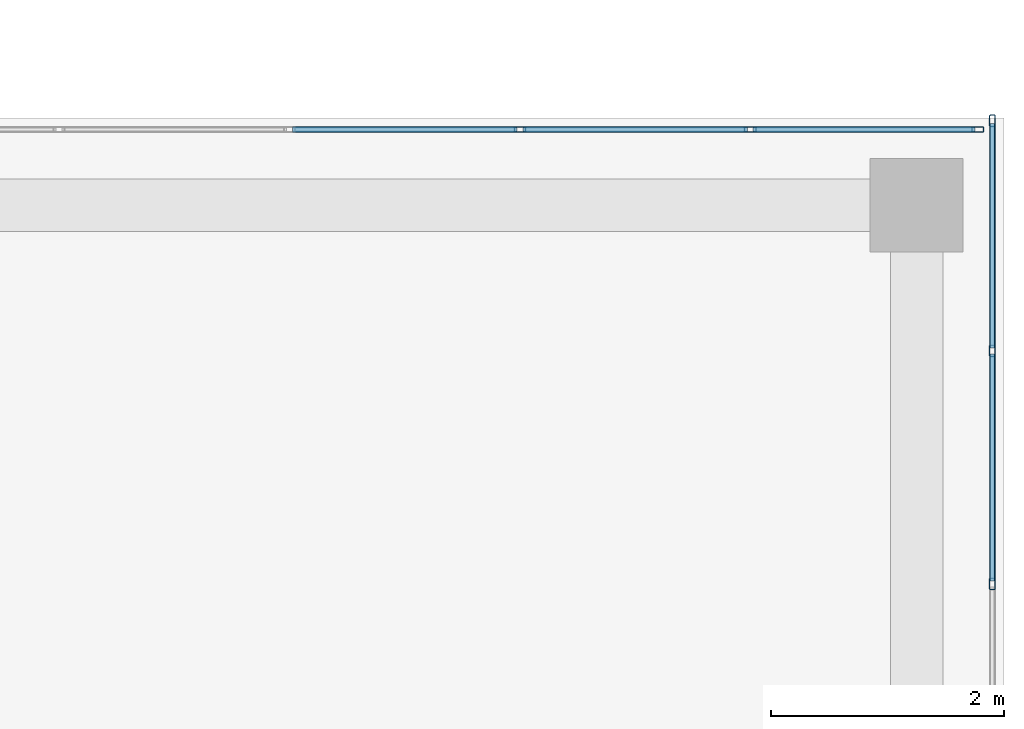
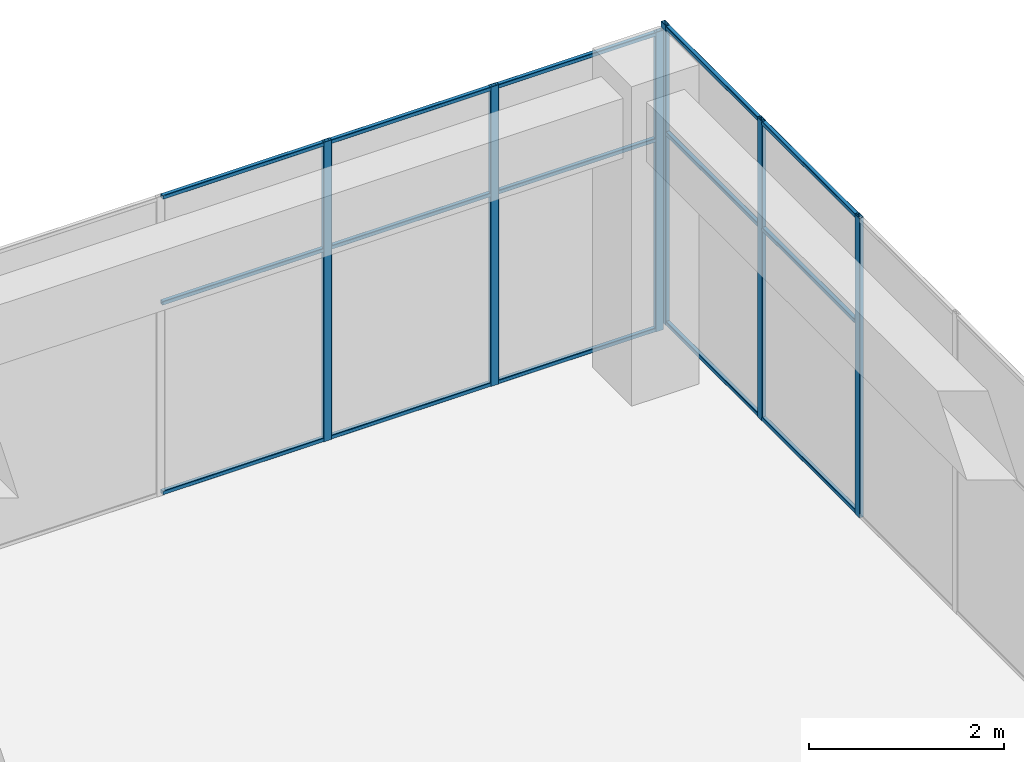
# One storey, part 45 of 66: 21 members, 2 elements without a shape of their own.
"""IFC4 building model written with IfcOpenShell, lengths in metres."""

from ifc_helpers import new_model, si_unit, direction, frame, origin, origin_2d, place, context, subcontext, project, spatial, hollow_rectangle, extrude, material, layer, layer_set, material_profile, profile_set, type_object, element, aggregate, save


model = new_model("IFC4")

# Units and contexts
model_context = context("Model", 3, precision=1e-05, world=origin(), true_north=direction((0.0, 1.0)))
body_context = subcontext(model_context, "Body", "Model", "MODEL_VIEW")
ifc_project = project(units=[si_unit("LENGTHUNIT", "METRE"), si_unit("AREAUNIT", "SQUARE_METRE"), si_unit("VOLUMEUNIT", "CUBIC_METRE"), si_unit("PLANEANGLEUNIT", "RADIAN"), si_unit("MASSUNIT", "GRAM", prefix="KILO")], contexts=[model_context])

# Site, building, storey
site_placement = place(None, origin())
site = spatial("IfcSite", under=ifc_project, at=site_placement, CompositionType="ELEMENT")
building_placement = place(site_placement, origin())
building = spatial("IfcBuilding", under=site, at=building_placement, Name="Tuart Plaza Theatre", CompositionType="ELEMENT")
storey_placement = place(building_placement, frame((0.0, 0.0, 5.5)))
storey = spatial("IfcBuildingStorey", under=building, at=storey_placement, Name="L01", CompositionType="ELEMENT", Elevation=5.5)

# Curtain wall, members
ifc_material_1 = material(Name="Aluminium and glass", Category="aluminium")
ifc_layer = layer(ifc_material_1, 0.10009765625)
ifc_layer_set = layer_set([ifc_layer], Name="CURTAIN WALL 2000 module")
curtain_wall_type = type_object("IfcCurtainWallType", Name="CURTAIN WALL 2000 module", PredefinedType="NOTDEFINED", material=ifc_layer_set)
curtain_wall_1_placement = place(storey_placement, origin())
curtain_wall_1 = element("IfcCurtainWall", 1, at=curtain_wall_1_placement, inside=storey, type_object=curtain_wall_type, Name="CW69", PredefinedType="NOTDEFINED")
ifc_material_2 = material(Name="Aluminium 6063-T5", Category="aluminium")
ifc_material_profile_1 = material_profile(ifc_material_2, hollow_rectangle(XDim=0.050048828125, YDim=0.10009765625, WallThickness=0.00390625, InnerFilletRadius=0.00390625, OuterFilletRadius=0.008056640625, at=origin_2d()), Name="RHS 100x50x4")
ifc_profile_set_1 = profile_set([ifc_material_profile_1], Name="Aluminium 6063-T5")
member_type_1 = type_object("IfcMemberType", Name="MULLION RHS 100x50x4", PredefinedType="MULLION", material=ifc_profile_set_1)
member_1_placement = place(storey_placement, frame((150.64990234375, 88.75, 0.0), z_axis=(0.0, 0.0, 1.0), x_axis=(-1.0, 0.0, 0.0)))
member_1 = element("IfcMember", 2, at=member_1_placement, type_object=member_type_1, Name="CW69 mullion 20", PredefinedType="MULLION", context=body_context, shape_type="SweptSolid", body=[
    extrude(hollow_rectangle(XDim=0.050048828125, YDim=0.10009765625, WallThickness=0.00390625, InnerFilletRadius=0.00390625, OuterFilletRadius=0.008056640625, at=origin_2d()), origin(), (0.0, 0.0, 1.0), 3.75),
])
member_2_placement = place(storey_placement, frame((150.64990234375, 90.75, 0.0), z_axis=(0.0, 0.0, 1.0), x_axis=(-1.0, 0.0, 0.0)))
member_2 = element("IfcMember", 3, at=member_2_placement, type_object=member_type_1, Name="CW69 mullion 21", PredefinedType="MULLION", context=body_context, shape_type="SweptSolid", body=[
    extrude(hollow_rectangle(XDim=0.050048828125, YDim=0.10009765625, WallThickness=0.00390625, InnerFilletRadius=0.00390625, OuterFilletRadius=0.008056640625, at=origin_2d()), origin(), (0.0, 0.0, 1.0), 3.75),
])
member_3_placement = place(storey_placement, frame((150.64990234375, 92.72509765625, 0.0), z_axis=(0.0, 0.0, 1.0), x_axis=(-1.0, 0.0, 0.0)))
member_3 = element("IfcMember", 4, at=member_3_placement, type_object=member_type_1, Name="CW69 mullion 22", PredefinedType="MULLION", context=body_context, shape_type="SweptSolid", body=[
    extrude(hollow_rectangle(XDim=0.050048828125, YDim=0.10009765625, WallThickness=0.00390625, InnerFilletRadius=0.00390625, OuterFilletRadius=0.008056640625, at=origin_2d()), origin(), (0.0, 0.0, 1.0), 3.75),
])

curtain_wall_2_placement = place(storey_placement, origin())
curtain_wall_2 = element("IfcCurtainWall", 5, at=curtain_wall_2_placement, inside=storey, type_object=curtain_wall_type, Name="CW70", PredefinedType="NOTDEFINED")
member_4_placement = place(storey_placement, frame((150.52490234375, 92.64990234375, 0.0), z_axis=(0.0, 0.0, 1.0), x_axis=(0.0, -1.0, 0.0)))
member_4 = element("IfcMember", 6, at=member_4_placement, type_object=member_type_1, Name="CW70 mullion 1", PredefinedType="MULLION", context=body_context, shape_type="SweptSolid", body=[
    extrude(hollow_rectangle(XDim=0.050048828125, YDim=0.10009765625, WallThickness=0.00390625, InnerFilletRadius=0.00390625, OuterFilletRadius=0.008056640625, at=origin_2d()), origin(), (0.0, 0.0, 1.0), 3.75),
])
member_5_placement = place(storey_placement, frame((148.572265625, 92.64990234375, 0.0), z_axis=(0.0, 0.0, 1.0), x_axis=(0.0, -1.0, 0.0)))
member_5 = element("IfcMember", 7, at=member_5_placement, type_object=member_type_1, Name="CW70 mullion 2", PredefinedType="MULLION", context=body_context, shape_type="SweptSolid", body=[
    extrude(hollow_rectangle(XDim=0.050048828125, YDim=0.10009765625, WallThickness=0.00390625, InnerFilletRadius=0.00390625, OuterFilletRadius=0.008056640625, at=origin_2d()), origin(), (0.0, 0.0, 1.0), 3.75),
])
member_6_placement = place(storey_placement, frame((146.594482421875, 92.64990234375, 0.0), z_axis=(0.0, 0.0, 1.0), x_axis=(0.0, -1.0, 0.0)))
member_6 = element("IfcMember", 8, at=member_6_placement, type_object=member_type_1, Name="CW70 mullion 3", PredefinedType="MULLION", context=body_context, shape_type="SweptSolid", body=[
    extrude(hollow_rectangle(XDim=0.050048828125, YDim=0.10009765625, WallThickness=0.00390625, InnerFilletRadius=0.00390625, OuterFilletRadius=0.008056640625, at=origin_2d()), origin(), (0.0, 0.0, 1.0), 3.75),
])

# Member
ifc_material_3 = material(Name="Aluminium 6063-T5", Category="aluminium")
ifc_material_profile_2 = material_profile(ifc_material_3, hollow_rectangle(XDim=0.050048828125, YDim=0.050048828125, WallThickness=0.00390625, InnerFilletRadius=0.00390625, OuterFilletRadius=0.008056640625, at=origin_2d()), Name="RHS 50x50x4")
ifc_profile_set_2 = profile_set([ifc_material_profile_2], Name="Aluminium 6063-T5")
member_type_2 = type_object("IfcMemberType", Name="TRANSOM RHS 50x50x4", PredefinedType="USERDEFINED", material=ifc_profile_set_2)
member_7_placement = place(storey_placement, frame((150.64990234375, 88.77490234375, 0.02490234375), z_axis=(0.0, 1.0, 0.0), x_axis=(-1.0, 0.0, 0.0)))
member_7 = element("IfcMember", 9, at=member_7_placement, type_object=member_type_2, Name="CW69 transom 20.1", ObjectType="TRANSOM", PredefinedType="USERDEFINED", context=body_context, shape_type="SweptSolid", body=[
    extrude(hollow_rectangle(XDim=0.050048828125, YDim=0.050048828125, WallThickness=0.00390625, InnerFilletRadius=0.00390625, OuterFilletRadius=0.008056640625, at=origin_2d()), origin(), (0.0, 0.0, 1.0), 1.9501953125),
])

member_8_placement = place(storey_placement, frame((150.64990234375, 88.77490234375, 2.39990234375), z_axis=(0.0, 1.0, 0.0), x_axis=(-1.0, 0.0, 0.0)))
member_8 = element("IfcMember", 10, at=member_8_placement, type_object=member_type_2, Name="CW69 transom 20.2", ObjectType="TRANSOM", PredefinedType="USERDEFINED", context=body_context, shape_type="SweptSolid", body=[
    extrude(hollow_rectangle(XDim=0.050048828125, YDim=0.050048828125, WallThickness=0.00390625, InnerFilletRadius=0.00390625, OuterFilletRadius=0.008056640625, at=origin_2d()), origin(), (0.0, 0.0, 1.0), 1.9501953125),
])

member_9_placement = place(storey_placement, frame((150.64990234375, 88.77490234375, 3.72509765625), z_axis=(0.0, 1.0, 0.0), x_axis=(-1.0, 0.0, 0.0)))
member_9 = element("IfcMember", 11, at=member_9_placement, type_object=member_type_2, Name="CW69 transom 20.3", ObjectType="TRANSOM", PredefinedType="USERDEFINED", context=body_context, shape_type="SweptSolid", body=[
    extrude(hollow_rectangle(XDim=0.050048828125, YDim=0.050048828125, WallThickness=0.00390625, InnerFilletRadius=0.00390625, OuterFilletRadius=0.008056640625, at=origin_2d()), origin(), (0.0, 0.0, 1.0), 1.9501953125),
])

member_10_placement = place(storey_placement, frame((150.64990234375, 90.77490234375, 0.02490234375), z_axis=(0.0, 1.0, 0.0), x_axis=(-1.0, 0.0, 0.0)))
member_10 = element("IfcMember", 12, at=member_10_placement, type_object=member_type_2, Name="CW69 transom 21.1", ObjectType="TRANSOM", PredefinedType="USERDEFINED", context=body_context, shape_type="SweptSolid", body=[
    extrude(hollow_rectangle(XDim=0.050048828125, YDim=0.050048828125, WallThickness=0.00390625, InnerFilletRadius=0.00390625, OuterFilletRadius=0.008056640625, at=origin_2d()), origin(), (0.0, 0.0, 1.0), 1.925048828125),
])

member_11_placement = place(storey_placement, frame((150.64990234375, 90.77490234375, 2.39990234375), z_axis=(0.0, 1.0, 0.0), x_axis=(-1.0, 0.0, 0.0)))
member_11 = element("IfcMember", 13, at=member_11_placement, type_object=member_type_2, Name="CW69 transom 21.2", ObjectType="TRANSOM", PredefinedType="USERDEFINED", context=body_context, shape_type="SweptSolid", body=[
    extrude(hollow_rectangle(XDim=0.050048828125, YDim=0.050048828125, WallThickness=0.00390625, InnerFilletRadius=0.00390625, OuterFilletRadius=0.008056640625, at=origin_2d()), origin(), (0.0, 0.0, 1.0), 1.925048828125),
])

member_12_placement = place(storey_placement, frame((150.64990234375, 90.77490234375, 3.72509765625), z_axis=(0.0, 1.0, 0.0), x_axis=(-1.0, 0.0, 0.0)))
member_12 = element("IfcMember", 14, at=member_12_placement, type_object=member_type_2, Name="CW69 transom 21.3", ObjectType="TRANSOM", PredefinedType="USERDEFINED", context=body_context, shape_type="SweptSolid", body=[
    extrude(hollow_rectangle(XDim=0.050048828125, YDim=0.050048828125, WallThickness=0.00390625, InnerFilletRadius=0.00390625, OuterFilletRadius=0.008056640625, at=origin_2d()), origin(), (0.0, 0.0, 1.0), 1.925048828125),
])

aggregate(curtain_wall_1, [member_1, member_2, member_3, member_7, member_8, member_9, member_10, member_11, member_12])

member_13_placement = place(storey_placement, frame((150.5, 92.64990234375, 0.02490234375), z_axis=(-1.0, 0.0, 0.0), x_axis=(0.0, -1.0, 0.0)))
member_13 = element("IfcMember", 15, at=member_13_placement, type_object=member_type_2, Name="CW70 transom 1.1", ObjectType="TRANSOM", PredefinedType="USERDEFINED", context=body_context, shape_type="SweptSolid", body=[
    extrude(hollow_rectangle(XDim=0.050048828125, YDim=0.050048828125, WallThickness=0.00390625, InnerFilletRadius=0.00390625, OuterFilletRadius=0.008056640625, at=origin_2d()), origin(), (0.0, 0.0, 1.0), 1.90283203125),
])

member_14_placement = place(storey_placement, frame((150.5, 92.64990234375, 2.39990234375), z_axis=(-1.0, 0.0, 0.0), x_axis=(0.0, -1.0, 0.0)))
member_14 = element("IfcMember", 16, at=member_14_placement, type_object=member_type_2, Name="CW70 transom 1.2", ObjectType="TRANSOM", PredefinedType="USERDEFINED", context=body_context, shape_type="SweptSolid", body=[
    extrude(hollow_rectangle(XDim=0.050048828125, YDim=0.050048828125, WallThickness=0.00390625, InnerFilletRadius=0.00390625, OuterFilletRadius=0.008056640625, at=origin_2d()), origin(), (0.0, 0.0, 1.0), 1.90283203125),
])

member_15_placement = place(storey_placement, frame((150.5, 92.64990234375, 3.72509765625), z_axis=(-1.0, 0.0, 0.0), x_axis=(0.0, -1.0, 0.0)))
member_15 = element("IfcMember", 17, at=member_15_placement, type_object=member_type_2, Name="CW70 transom 1.3", ObjectType="TRANSOM", PredefinedType="USERDEFINED", context=body_context, shape_type="SweptSolid", body=[
    extrude(hollow_rectangle(XDim=0.050048828125, YDim=0.050048828125, WallThickness=0.00390625, InnerFilletRadius=0.00390625, OuterFilletRadius=0.008056640625, at=origin_2d()), origin(), (0.0, 0.0, 1.0), 1.90283203125),
])

member_16_placement = place(storey_placement, frame((148.547119140625, 92.64990234375, 0.02490234375), z_axis=(-1.0, 0.0, 0.0), x_axis=(0.0, -1.0, 0.0)))
member_16 = element("IfcMember", 18, at=member_16_placement, type_object=member_type_2, Name="CW70 transom 2.1", ObjectType="TRANSOM", PredefinedType="USERDEFINED", context=body_context, shape_type="SweptSolid", body=[
    extrude(hollow_rectangle(XDim=0.050048828125, YDim=0.050048828125, WallThickness=0.00390625, InnerFilletRadius=0.00390625, OuterFilletRadius=0.008056640625, at=origin_2d()), origin(), (0.0, 0.0, 1.0), 1.927734375),
])

member_17_placement = place(storey_placement, frame((148.547119140625, 92.64990234375, 2.39990234375), z_axis=(-1.0, 0.0, 0.0), x_axis=(0.0, -1.0, 0.0)))
member_17 = element("IfcMember", 19, at=member_17_placement, type_object=member_type_2, Name="CW70 transom 2.2", ObjectType="TRANSOM", PredefinedType="USERDEFINED", context=body_context, shape_type="SweptSolid", body=[
    extrude(hollow_rectangle(XDim=0.050048828125, YDim=0.050048828125, WallThickness=0.00390625, InnerFilletRadius=0.00390625, OuterFilletRadius=0.008056640625, at=origin_2d()), origin(), (0.0, 0.0, 1.0), 1.927734375),
])

member_18_placement = place(storey_placement, frame((148.547119140625, 92.64990234375, 3.72509765625), z_axis=(-1.0, 0.0, 0.0), x_axis=(0.0, -1.0, 0.0)))
member_18 = element("IfcMember", 20, at=member_18_placement, type_object=member_type_2, Name="CW70 transom 2.3", ObjectType="TRANSOM", PredefinedType="USERDEFINED", context=body_context, shape_type="SweptSolid", body=[
    extrude(hollow_rectangle(XDim=0.050048828125, YDim=0.050048828125, WallThickness=0.00390625, InnerFilletRadius=0.00390625, OuterFilletRadius=0.008056640625, at=origin_2d()), origin(), (0.0, 0.0, 1.0), 1.927734375),
])

member_19_placement = place(storey_placement, frame((146.5693359375, 92.64990234375, 0.02490234375), z_axis=(-1.0, 0.0, 0.0), x_axis=(0.0, -1.0, 0.0)))
member_19 = element("IfcMember", 21, at=member_19_placement, type_object=member_type_2, Name="CW70 transom 3.1", ObjectType="TRANSOM", PredefinedType="USERDEFINED", context=body_context, shape_type="SweptSolid", body=[
    extrude(hollow_rectangle(XDim=0.050048828125, YDim=0.050048828125, WallThickness=0.00390625, InnerFilletRadius=0.00390625, OuterFilletRadius=0.008056640625, at=origin_2d()), origin(), (0.0, 0.0, 1.0), 1.927734375),
])

member_20_placement = place(storey_placement, frame((146.5693359375, 92.64990234375, 2.39990234375), z_axis=(-1.0, 0.0, 0.0), x_axis=(0.0, -1.0, 0.0)))
member_20 = element("IfcMember", 22, at=member_20_placement, type_object=member_type_2, Name="CW70 transom 3.2", ObjectType="TRANSOM", PredefinedType="USERDEFINED", context=body_context, shape_type="SweptSolid", body=[
    extrude(hollow_rectangle(XDim=0.050048828125, YDim=0.050048828125, WallThickness=0.00390625, InnerFilletRadius=0.00390625, OuterFilletRadius=0.008056640625, at=origin_2d()), origin(), (0.0, 0.0, 1.0), 1.927734375),
])

member_21_placement = place(storey_placement, frame((146.5693359375, 92.64990234375, 3.72509765625), z_axis=(-1.0, 0.0, 0.0), x_axis=(0.0, -1.0, 0.0)))
member_21 = element("IfcMember", 23, at=member_21_placement, type_object=member_type_2, Name="CW70 transom 3.3", ObjectType="TRANSOM", PredefinedType="USERDEFINED", context=body_context, shape_type="SweptSolid", body=[
    extrude(hollow_rectangle(XDim=0.050048828125, YDim=0.050048828125, WallThickness=0.00390625, InnerFilletRadius=0.00390625, OuterFilletRadius=0.008056640625, at=origin_2d()), origin(), (0.0, 0.0, 1.0), 1.927734375),
])

aggregate(curtain_wall_2, [member_4, member_5, member_6, member_13, member_14, member_15, member_16, member_17, member_18, member_19, member_20, member_21])

save(model, "model.ifc")
